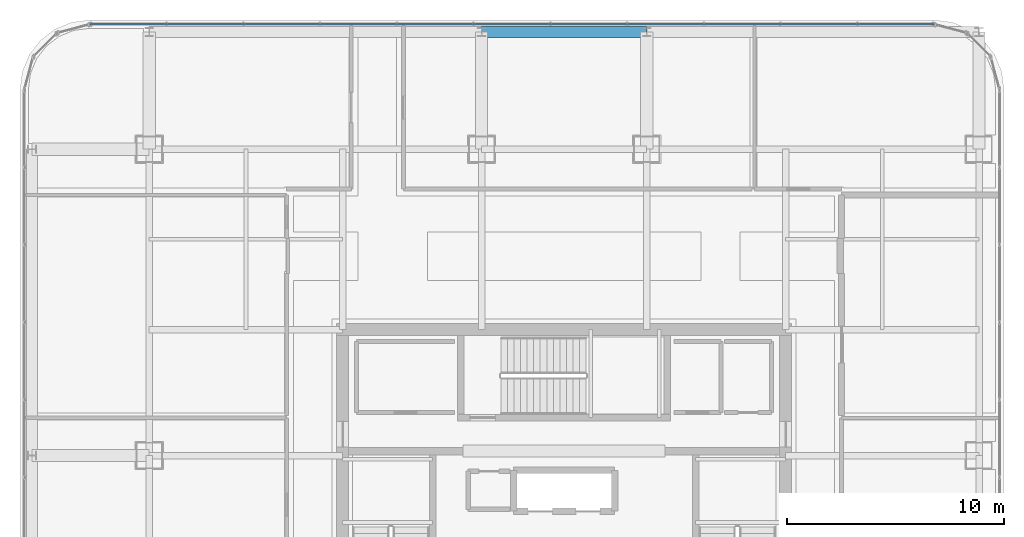
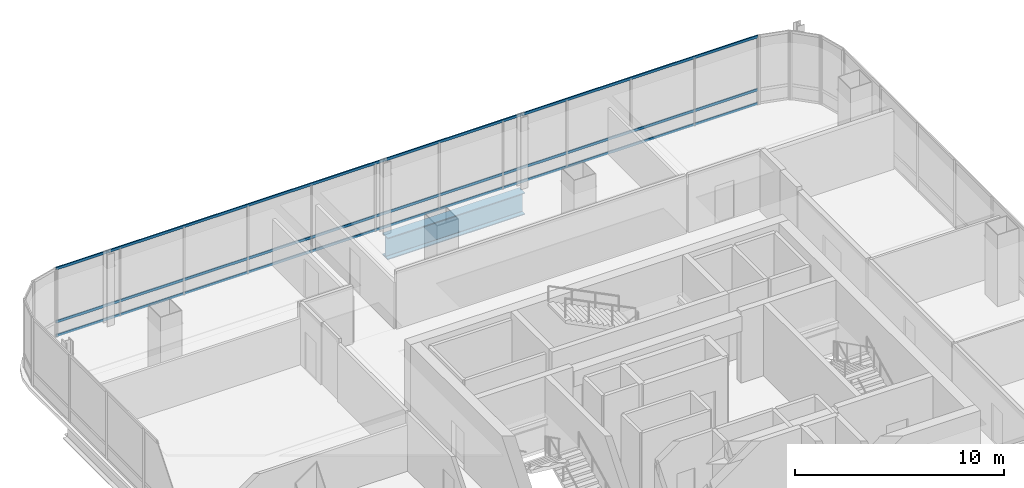
# One storey, part 26 of 41: 3 members, 1 beam, 1 element without a shape of its own.
"""IFC4 building model written with IfcOpenShell, lengths in metres."""

from ifc_helpers import new_model, si_unit, direction, frame, origin, origin_2d, place, context, subcontext, project, spatial, hollow_rectangle, i_section, extrude, material, material_profile, profile_set, type_object, element, aggregate, save


model = new_model("IFC4")

# Units and contexts
model_context = context("Model", 3, precision=1e-05, world=origin(), true_north=direction((0.0, 1.0)))
body_context = subcontext(model_context, "Body", "Model", "MODEL_VIEW")
ifc_project = project(units=[si_unit("LENGTHUNIT", "METRE"), si_unit("AREAUNIT", "SQUARE_METRE"), si_unit("VOLUMEUNIT", "CUBIC_METRE"), si_unit("PLANEANGLEUNIT", "RADIAN"), si_unit("MASSUNIT", "GRAM", prefix="KILO")], contexts=[model_context])

# Site, building, storey
site_placement = place(None, origin())
site = spatial("IfcSite", under=ifc_project, at=site_placement, CompositionType="ELEMENT")
building_placement = place(site_placement, origin())
building = spatial("IfcBuilding", under=site, at=building_placement, Name="Punatoya Terracotta Tower", CompositionType="ELEMENT")
storey_placement = place(building_placement, frame((0.0, 0.0, 292.199951171875)))
storey = spatial("IfcBuildingStorey", under=building, at=storey_placement, Name="L69", CompositionType="ELEMENT", Elevation=292.199951171875)

# Beam
ifc_material_1 = material(Name="Steel S460", Category="steel")
ifc_material_profile_1 = material_profile(ifc_material_1, i_section(OverallWidth=0.52001953125, OverallDepth=1.280029296875, WebThickness=0.031982421875, FlangeThickness=0.050048828125, FilletRadius=0.01806640625, at=origin_2d()))
ifc_profile_set_1 = profile_set([ifc_material_profile_1], Name="Steel S460")
beam_type = type_object("IfcBeamType", Name="BM-TG-NCK", PredefinedType="BEAM", material=ifc_profile_set_1)
beam_placement = place(storey_placement, frame((-3.800048828125, 22.89990234375, -0.83984375), z_axis=(1.0, 0.0, 0.0), x_axis=(0.0, 1.0, 0.0)))
element("IfcBeam", 1, at=beam_placement, inside=storey, type_object=beam_type, Name="BM-L69-PER-N2", PredefinedType="BEAM", context=body_context, shape_type="SweptSolid", body=[
    extrude(i_section(OverallWidth=0.52001953125, OverallDepth=1.280029296875, WebThickness=0.031982421875, FlangeThickness=0.050048828125, FilletRadius=0.01806640625, at=origin_2d()), origin(), (0.0, 0.0, 1.0), 7.60009765625),
])

# Curtain wall, members
ifc_material_2 = material(Name="Aluminium 6063-T6 + Double Low-E Glass", Category="aluminium")
curtain_wall_type = type_object("IfcCurtainWallType", Name="CW-M3", PredefinedType="NOTDEFINED", material=ifc_material_2)
curtain_wall_placement = place(storey_placement, origin())
curtain_wall = element("IfcCurtainWall", 2, at=curtain_wall_placement, inside=storey, type_object=curtain_wall_type, Name="L69 Curtain Wall CW-L69-N09-1", PredefinedType="NOTDEFINED")
ifc_material_3 = material(Name="Aluminium 6063-T6", Category="aluminium")
ifc_material_profile_2 = material_profile(ifc_material_3, hollow_rectangle(XDim=0.068115234375, YDim=0.14990234375, WallThickness=0.00390625, at=origin_2d()))
ifc_profile_set_2 = profile_set([ifc_material_profile_2], Name="Aluminium 6063-T6")
member_type = type_object("IfcMemberType", Name="CW-TRN-TYP", PredefinedType="USERDEFINED", material=ifc_profile_set_2)
member_1_placement = place(storey_placement, frame((17.036865234375, 23.25, 0.0400390625), z_axis=(-1.0, 0.0, 0.0), x_axis=(0.0, -1.0, 0.0)))
member_1 = element("IfcMember", 3, at=member_1_placement, type_object=member_type, Name="CW-L69-N09-1 Transom 1", ObjectType="TRANSOM", PredefinedType="USERDEFINED", context=body_context, shape_type="SweptSolid", body=[
    extrude(hollow_rectangle(XDim=0.068115234375, YDim=0.14990234375, WallThickness=0.00390625, at=origin_2d()), origin(), (0.0, 0.0, 1.0), 38.873779296875),
])
member_2_placement = place(storey_placement, frame((17.036865234375, 23.25, 0.85009765625), z_axis=(-1.0, 0.0, 0.0), x_axis=(0.0, -1.0, 0.0)))
member_2 = element("IfcMember", 4, at=member_2_placement, type_object=member_type, Name="CW-L69-N09-1 Transom 2", ObjectType="TRANSOM", PredefinedType="USERDEFINED", context=body_context, shape_type="SweptSolid", body=[
    extrude(hollow_rectangle(XDim=0.068115234375, YDim=0.14990234375, WallThickness=0.00390625, at=origin_2d()), origin(), (0.0, 0.0, 1.0), 38.873779296875),
])
member_3_placement = place(storey_placement, frame((17.036865234375, 23.25, 3.9599609375), z_axis=(-1.0, 0.0, 0.0), x_axis=(0.0, -1.0, 0.0)))
member_3 = element("IfcMember", 5, at=member_3_placement, type_object=member_type, Name="CW-L69-N09-1 Transom 3", ObjectType="TRANSOM", PredefinedType="USERDEFINED", context=body_context, shape_type="SweptSolid", body=[
    extrude(hollow_rectangle(XDim=0.068115234375, YDim=0.14990234375, WallThickness=0.00390625, at=origin_2d()), origin(), (0.0, 0.0, 1.0), 38.873779296875),
])
aggregate(curtain_wall, [member_1, member_2, member_3])

save(model, "model.ifc")
